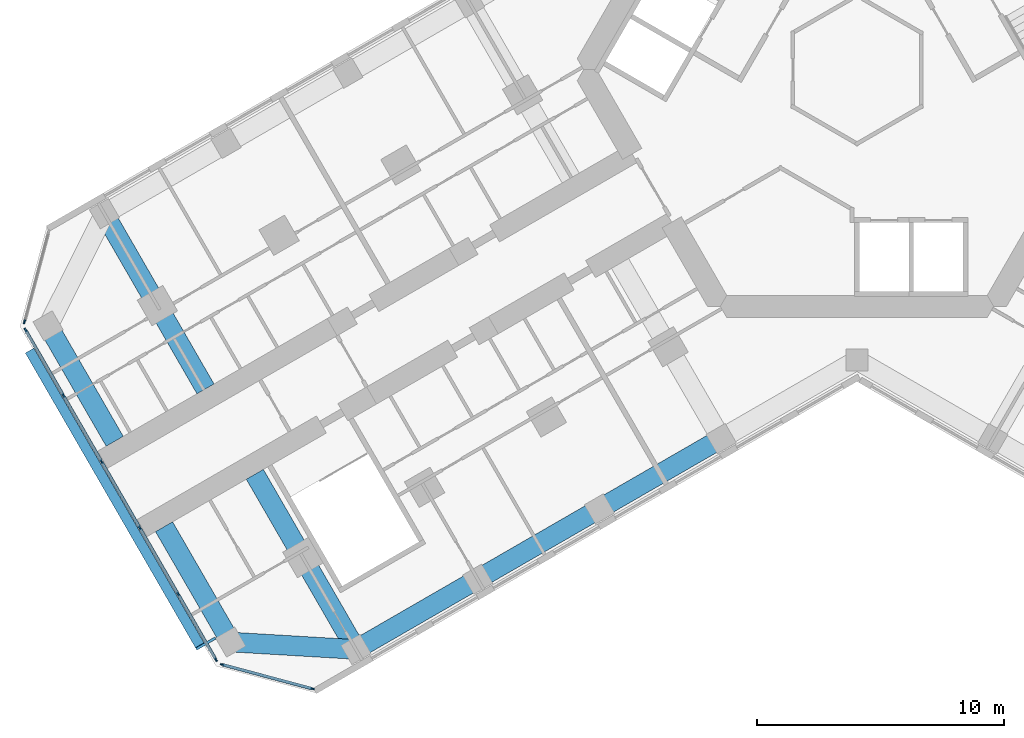
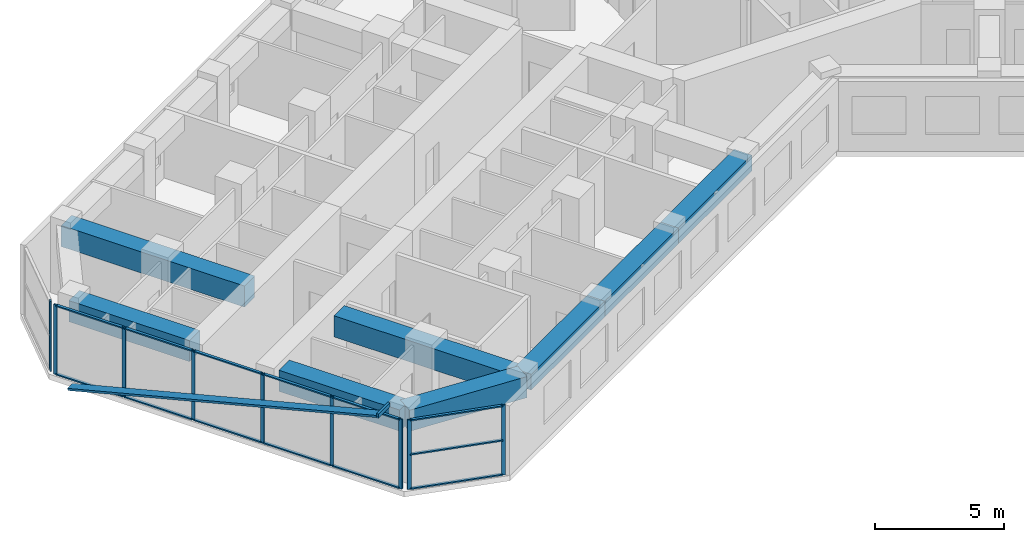
# One storey, part 2 of 20: 24 members, 8 beams, 3 elements without a shape of their own.
"""IFC4 building model written with IfcOpenShell, lengths in metres."""

from ifc_helpers import new_model, si_unit, direction, frame, origin, origin_2d, place, context, subcontext, project, spatial, rectangle, hollow_rectangle, extrude, material, material_profile, profile_set, type_object, element, aggregate, save


model = new_model("IFC4")

# Units and contexts
model_context = context("Model", 3, precision=1e-05, world=origin(), true_north=direction((0.0, 1.0)))
body_context = subcontext(model_context, "Body", "Model", "MODEL_VIEW")
ifc_project = project(units=[si_unit("LENGTHUNIT", "METRE"), si_unit("AREAUNIT", "SQUARE_METRE"), si_unit("VOLUMEUNIT", "CUBIC_METRE"), si_unit("PLANEANGLEUNIT", "RADIAN"), si_unit("MASSUNIT", "GRAM", prefix="KILO")], contexts=[model_context])

# Site, building, storey
site_placement = place(None, origin())
site = spatial("IfcSite", under=ifc_project, at=site_placement, CompositionType="ELEMENT")
building_placement = place(site_placement, origin())
building = spatial("IfcBuilding", under=site, at=building_placement, Name="Kosmar Iwan School Tower", CompositionType="ELEMENT")
storey_placement = place(building_placement, frame((0.0, 0.0, 183.199951171875)))
storey = spatial("IfcBuildingStorey", under=building, at=storey_placement, Name="L46", CompositionType="ELEMENT", Elevation=183.199951171875)

# Beams
ifc_material_1 = material(Name="Concrete C50/60", Category="concrete")
ifc_material_profile_1 = material_profile(ifc_material_1, rectangle(XDim=0.800048828125, YDim=0.75, at=origin_2d()), Name="RC 800x750 + HD 400x634")
ifc_profile_set_1 = profile_set([ifc_material_profile_1], Name="Concrete C50/60")
beam_type_1 = type_object("IfcBeamType", Name="Composite edge beam 800x750 HD 400x634", PredefinedType="BEAM", material=ifc_profile_set_1)
beam_1_placement = place(storey_placement, frame((-5.5087890625, -14.95849609375, 2.925048828125), z_axis=(-0.866033658841, -0.49998570155, 0.0), x_axis=(0.49998570155, -0.866033658841, 0.0)))
element("IfcBeam", 1, at=beam_1_placement, inside=storey, type_object=beam_type_1, Name="Edge beam BL2", PredefinedType="BEAM", context=body_context, shape_type="SweptSolid", body=[
    extrude(rectangle(XDim=0.800048828125, YDim=0.75, at=origin_2d()), origin(), (0.0, 0.0, 1.0), 5.699951171875),
])
beam_2_placement = place(storey_placement, frame((-10.445068359375, -17.808349609375, 2.925048828125), z_axis=(-0.866025820012, -0.499999279071, 0.0), x_axis=(0.499999279071, -0.866025820012, 0.0)))
element("IfcBeam", 2, at=beam_2_placement, inside=storey, type_object=beam_type_1, Name="Edge beam BL3", PredefinedType="BEAM", context=body_context, shape_type="SweptSolid", body=[
    extrude(rectangle(XDim=0.800048828125, YDim=0.75, at=origin_2d()), origin(), (0.0, 0.0, 1.0), 5.7001953125),
])
beam_3_placement = place(storey_placement, frame((-15.381591796875, -20.658447265625, 2.925048828125), z_axis=(-0.866015111908, -0.50001782563, 0.0), x_axis=(0.50001782563, -0.866015111908, 0.0)))
element("IfcBeam", 3, at=beam_3_placement, inside=storey, type_object=beam_type_1, Name="Edge beam BL4", PredefinedType="BEAM", context=body_context, shape_type="SweptSolid", body=[
    extrude(rectangle(XDim=0.800048828125, YDim=0.75, at=origin_2d()), origin(), (0.0, 0.0, 1.0), 5.699951171875),
])
ifc_material_2 = material(Name="Concrete C50/60", Category="concrete")
ifc_material_profile_2 = material_profile(ifc_material_2, rectangle(XDim=0.800048828125, YDim=1.0, at=origin_2d()), Name="RC 800x1000 + HD 400x347")
ifc_profile_set_2 = profile_set([ifc_material_profile_2], Name="Concrete C50/60")
beam_type_2 = type_object("IfcBeamType", Name="Composite tip beam 800x1000 HD 400x347", PredefinedType="BEAM", material=ifc_profile_set_2)
beam_4_placement = place(storey_placement, frame((-20.31787109375, -23.508544921875, 2.800048828125), z_axis=(-0.998260616478, 0.058955420358, 0.0), x_axis=(-0.058955420358, -0.998260616478, 0.0)))
element("IfcBeam", 4, at=beam_4_placement, inside=storey, type_object=beam_type_2, Name="Tip beam BL", PredefinedType="BEAM", context=body_context, shape_type="SweptSolid", body=[
    extrude(rectangle(XDim=0.800048828125, YDim=1.0, at=origin_2d()), origin(), (0.0, 0.0, 1.0), 5.08935546875),
])
for number, where, z_axis, x_axis, name in (
    (5, (-25.3984375, -23.20849609375, 2.800048828125), (-0.499995103361, 0.866028230842, 0.0), (-0.866028230842, -0.499995103361, 0.0), "Tip beam BL to corridor wall"),
    (6, (-32.79833984375, -10.391357421875, 2.800048828125), (0.499995103361, -0.866028230842, 0.0), (0.866028230842, 0.499995103361, 0.0), "Tip beam BR to corridor wall"),
):
    element("IfcBeam", number, at=place(storey_placement, frame(where, z_axis=z_axis, x_axis=x_axis)), inside=storey, type_object=beam_type_2, Name=name, PredefinedType="BEAM", context=body_context, shape_type="SweptSolid", body=[
        extrude(rectangle(XDim=0.800048828125, YDim=1.0, at=origin_2d()), origin(), (0.0, 0.0, 1.0), 5.39990234375),
    ])
ifc_material_3 = material(Name="Concrete C50/60", Category="concrete")
ifc_material_profile_3 = material_profile(ifc_material_3, rectangle(XDim=0.800048828125, YDim=1.0, at=origin_2d()), Name="RC 800x1000 + HD 400x634")
ifc_profile_set_3 = profile_set([ifc_material_profile_3], Name="Concrete C50/60")
beam_type_3 = type_object("IfcBeamType", Name="Composite transverse beam 800x1000 HD 400x634", PredefinedType="BEAM", material=ifc_profile_set_3)
for number, where, z_axis, x_axis, name in (
    (7, (-20.31787109375, -23.508544921875, 2.800048828125), (-0.499978459874, 0.866037839625, 0.0), (-0.866037839625, -0.499978459874, 0.0), "Transverse beam BL4"),
    (8, (-30.517822265625, -5.841552734375, 2.800048828125), (0.500013681986, -0.866017504342, 0.0), (0.866017504342, 0.500013681986, 0.0), "Transverse beam BR4"),
):
    element("IfcBeam", number, at=place(storey_placement, frame(where, z_axis=z_axis, x_axis=x_axis)), inside=storey, type_object=beam_type_3, Name=name, PredefinedType="BEAM", context=body_context, shape_type="SweptSolid", body=[
        extrude(rectangle(XDim=0.800048828125, YDim=1.0, at=origin_2d()), origin(), (0.0, 0.0, 1.0), 8.199951171875),
    ])

# Members
ifc_material_4 = material(Name="Black anodised aluminium", Category="aluminium")
ifc_material_profile_4 = material_profile(ifc_material_4, rectangle(XDim=0.10009765625, YDim=0.39990234375, at=origin_2d()), Name="FIN 100x400")
ifc_profile_set_4 = profile_set([ifc_material_profile_4], Name="Black anodised aluminium")
member_type_1 = type_object("IfcMemberType", Name="Diagonal fin 100x400", PredefinedType="USERDEFINED", material=ifc_profile_set_4)
member_1_placement = place(storey_placement, frame((-33.54345703125, -11.40087890625, -0.14990234375), z_axis=(0.484219792667, -0.838708782627, 0.249196248635), x_axis=(-0.124596397335, 0.21581127891, 0.968453008497)))
element("IfcMember", 9, at=member_1_placement, inside=storey, type_object=member_type_1, Name="Diagonal fin L46-F13", ObjectType="FIN", PredefinedType="USERDEFINED", context=body_context, shape_type="SweptSolid", body=[
    extrude(rectangle(XDim=0.10009765625, YDim=0.39990234375, at=origin_2d()), origin(), (0.0, 0.0, 1.0), 14.24609375),
])
ifc_material_5 = material(Name="Steel S355", Category="steel")
ifc_material_profile_5 = material_profile(ifc_material_5, hollow_rectangle(XDim=0.10009765625, YDim=0.199951171875, WallThickness=0.008056640625, at=origin_2d()), Name="RHS 200x100x8")
ifc_profile_set_5 = profile_set([ifc_material_profile_5], Name="Steel S355")
member_type_2 = type_object("IfcMemberType", Name="Fin bracket RHS 200x100", PredefinedType="USERDEFINED", material=ifc_profile_set_5)
member_2_placement = place(storey_placement, frame((-26.01318359375, -23.0439453125, 3.449951171875), z_axis=(-0.866013897511, -0.50001992892, 0.0), x_axis=(0.50001992892, -0.866013897511, 0.0)))
element("IfcMember", 10, at=member_2_placement, inside=storey, type_object=member_type_2, Name="Fin bracket L47", ObjectType="FIN BRACKET", PredefinedType="USERDEFINED", context=body_context, shape_type="SweptSolid", body=[
    extrude(hollow_rectangle(XDim=0.10009765625, YDim=0.199951171875, WallThickness=0.008056640625, at=origin_2d()), origin(), (0.0, 0.0, 1.0), 0.89990234375),
])

# Curtain wall, member
ifc_material_6 = material(Name="Dark glass in black aluminium frame", Category="aluminium")
curtain_wall_type_1 = type_object("IfcCurtainWallType", Name="Chamfer curtain wall dark glass", PredefinedType="USERDEFINED", material=ifc_material_6)
curtain_wall_1_placement = place(storey_placement, origin())
curtain_wall_1 = element("IfcCurtainWall", 11, at=curtain_wall_1_placement, inside=storey, type_object=curtain_wall_type_1, Name="Curtain wall L46-F12", ObjectType="FACETED CURTAIN WALL", PredefinedType="USERDEFINED")
ifc_material_7 = material(Name="Black anodised aluminium", Category="aluminium")
ifc_material_profile_6 = material_profile(ifc_material_7, rectangle(XDim=0.06005859375, YDim=0.159912109375, at=origin_2d()), Name="MULLION 60x160")
ifc_profile_set_6 = profile_set([ifc_material_profile_6], Name="Black anodised aluminium")
member_type_3 = type_object("IfcMemberType", Name="Mullion 60x160", PredefinedType="MULLION", material=ifc_profile_set_6)
member_3_placement = place(storey_placement, frame((-33.7587890625, -10.2236328125, 0.0), z_axis=(0.0, 0.0, 1.0), x_axis=(0.965925875495, -0.258818861462, 0.0)))
member_3 = element("IfcMember", 12, at=member_3_placement, type_object=member_type_3, Name="CW2 mullion 2", PredefinedType="MULLION", context=body_context, shape_type="SweptSolid", body=[
    extrude(rectangle(XDim=0.06005859375, YDim=0.159912109375, at=origin_2d()), origin(), (0.0, 0.0, 1.0), 3.300048828125),
])
aggregate(curtain_wall_1, [member_3])

# Curtain wall, members
ifc_material_8 = material(Name="Dark glass in black aluminium frame", Category="aluminium")
curtain_wall_type_2 = type_object("IfcCurtainWallType", Name="Tower curtain wall dark glass", PredefinedType="USERDEFINED", material=ifc_material_8)
curtain_wall_2_placement = place(storey_placement, origin())
curtain_wall_2 = element("IfcCurtainWall", 13, at=curtain_wall_2_placement, inside=storey, type_object=curtain_wall_type_2, Name="Curtain wall L46-F13", ObjectType="UNITISED CURTAIN WALL", PredefinedType="USERDEFINED")
member_4_placement = place(storey_placement, frame((-33.71533203125, -10.55322265625, 0.0), z_axis=(0.0, 0.0, 1.0), x_axis=(0.866025405329, 0.499999997325, 0.0)))
member_4 = element("IfcMember", 14, at=member_4_placement, type_object=member_type_3, Name="CW1 mullion 1", PredefinedType="MULLION", context=body_context, shape_type="SweptSolid", body=[
    extrude(rectangle(XDim=0.06005859375, YDim=0.159912109375, at=origin_2d()), origin(), (0.0, 0.0, 1.0), 3.300048828125),
])
member_5_placement = place(storey_placement, frame((-32.1806640625, -13.21142578125, 0.0), z_axis=(0.0, 0.0, 1.0), x_axis=(0.866025405329, 0.499999997325, 0.0)))
member_5 = element("IfcMember", 15, at=member_5_placement, type_object=member_type_3, Name="CW1 mullion 2", PredefinedType="MULLION", context=body_context, shape_type="SweptSolid", body=[
    extrude(rectangle(XDim=0.06005859375, YDim=0.159912109375, at=origin_2d()), origin(), (0.0, 0.0, 1.0), 3.300048828125),
])
member_6_placement = place(storey_placement, frame((-30.631103515625, -15.8955078125, 0.0), z_axis=(0.0, 0.0, 1.0), x_axis=(0.866025405329, 0.499999997325, 0.0)))
member_6 = element("IfcMember", 16, at=member_6_placement, type_object=member_type_3, Name="CW1 mullion 3", PredefinedType="MULLION", context=body_context, shape_type="SweptSolid", body=[
    extrude(rectangle(XDim=0.06005859375, YDim=0.159912109375, at=origin_2d()), origin(), (0.0, 0.0, 1.0), 3.300048828125),
])
member_7_placement = place(storey_placement, frame((-29.081298828125, -18.57958984375, 0.0), z_axis=(0.0, 0.0, 1.0), x_axis=(0.866025405329, 0.499999997325, 0.0)))
member_7 = element("IfcMember", 17, at=member_7_placement, type_object=member_type_3, Name="CW1 mullion 4", PredefinedType="MULLION", context=body_context, shape_type="SweptSolid", body=[
    extrude(rectangle(XDim=0.06005859375, YDim=0.159912109375, at=origin_2d()), origin(), (0.0, 0.0, 1.0), 3.300048828125),
])
member_8_placement = place(storey_placement, frame((-27.53173828125, -21.263671875, 0.0), z_axis=(0.0, 0.0, 1.0), x_axis=(0.866025405329, 0.499999997325, 0.0)))
member_8 = element("IfcMember", 18, at=member_8_placement, type_object=member_type_3, Name="CW1 mullion 5", PredefinedType="MULLION", context=body_context, shape_type="SweptSolid", body=[
    extrude(rectangle(XDim=0.06005859375, YDim=0.159912109375, at=origin_2d()), origin(), (0.0, 0.0, 1.0), 3.300048828125),
])
member_9_placement = place(storey_placement, frame((-25.9970703125, -23.921630859375, 0.0), z_axis=(0.0, 0.0, 1.0), x_axis=(0.866025405329, 0.499999997325, 0.0)))
member_9 = element("IfcMember", 19, at=member_9_placement, type_object=member_type_3, Name="CW1 mullion 6", PredefinedType="MULLION", context=body_context, shape_type="SweptSolid", body=[
    extrude(rectangle(XDim=0.06005859375, YDim=0.159912109375, at=origin_2d()), origin(), (0.0, 0.0, 1.0), 3.300048828125),
])

curtain_wall_3_placement = place(storey_placement, origin())
curtain_wall_3 = element("IfcCurtainWall", 20, at=curtain_wall_3_placement, inside=storey, type_object=curtain_wall_type_1, Name="Curtain wall L46-F14", ObjectType="FACETED CURTAIN WALL", PredefinedType="USERDEFINED")
member_10_placement = place(storey_placement, frame((-25.733154296875, -24.124267578125, 0.0), z_axis=(0.0, 0.0, 1.0), x_axis=(0.258818861462, 0.965925875495, 0.0)))
member_10 = element("IfcMember", 21, at=member_10_placement, type_object=member_type_3, Name="CW2 mullion 1", PredefinedType="MULLION", context=body_context, shape_type="SweptSolid", body=[
    extrude(rectangle(XDim=0.06005859375, YDim=0.159912109375, at=origin_2d()), origin(), (0.0, 0.0, 1.0), 3.300048828125),
])
member_11_placement = place(storey_placement, frame((-22.0830078125, -25.102294921875, 0.0), z_axis=(0.0, 0.0, 1.0), x_axis=(0.258818861462, 0.965925875495, 0.0)))
member_11 = element("IfcMember", 22, at=member_11_placement, type_object=member_type_3, Name="CW2 mullion 2", PredefinedType="MULLION", context=body_context, shape_type="SweptSolid", body=[
    extrude(rectangle(XDim=0.06005859375, YDim=0.159912109375, at=origin_2d()), origin(), (0.0, 0.0, 1.0), 3.300048828125),
])

# Member
ifc_material_9 = material(Name="Black anodised aluminium", Category="aluminium")
ifc_material_profile_7 = material_profile(ifc_material_9, rectangle(XDim=0.1201171875, YDim=0.06005859375, at=origin_2d()), Name="TRANSOM 60x120")
ifc_profile_set_7 = profile_set([ifc_material_profile_7], Name="Black anodised aluminium")
member_type_4 = type_object("IfcMemberType", Name="Transom 60x120", PredefinedType="USERDEFINED", material=ifc_profile_set_7)
member_12_placement = place(storey_placement, frame((-33.700439453125, -10.579345703125, 0.030029296875), z_axis=(0.500022102064, -0.866012642776, 0.0), x_axis=(0.866012642776, 0.500022102064, 0.0)))
member_12 = element("IfcMember", 23, at=member_12_placement, type_object=member_type_4, Name="CW1 transom 1.1", ObjectType="TRANSOM", PredefinedType="USERDEFINED", context=body_context, shape_type="SweptSolid", body=[
    extrude(rectangle(XDim=0.1201171875, YDim=0.06005859375, at=origin_2d()), origin(), (0.0, 0.0, 1.0), 3.009033203125),
])

member_13_placement = place(storey_placement, frame((-33.700439453125, -10.579345703125, 3.27001953125), z_axis=(0.500022102064, -0.866012642776, 0.0), x_axis=(0.866012642776, 0.500022102064, 0.0)))
member_13 = element("IfcMember", 24, at=member_13_placement, type_object=member_type_4, Name="CW1 transom 1.2", ObjectType="TRANSOM", PredefinedType="USERDEFINED", context=body_context, shape_type="SweptSolid", body=[
    extrude(rectangle(XDim=0.1201171875, YDim=0.06005859375, at=origin_2d()), origin(), (0.0, 0.0, 1.0), 3.009033203125),
])

member_14_placement = place(storey_placement, frame((-32.165771484375, -13.2373046875, 0.030029296875), z_axis=(0.500035348339, -0.866004994449, 0.0), x_axis=(0.866004994449, 0.500035348339, 0.0)))
member_14 = element("IfcMember", 25, at=member_14_placement, type_object=member_type_4, Name="CW1 transom 2.1", ObjectType="TRANSOM", PredefinedType="USERDEFINED", context=body_context, shape_type="SweptSolid", body=[
    extrude(rectangle(XDim=0.1201171875, YDim=0.06005859375, at=origin_2d()), origin(), (0.0, 0.0, 1.0), 3.039306640625),
])

member_15_placement = place(storey_placement, frame((-32.165771484375, -13.2373046875, 3.27001953125), z_axis=(0.500035348339, -0.866004994449, 0.0), x_axis=(0.866004994449, 0.500035348339, 0.0)))
member_15 = element("IfcMember", 26, at=member_15_placement, type_object=member_type_4, Name="CW1 transom 2.2", ObjectType="TRANSOM", PredefinedType="USERDEFINED", context=body_context, shape_type="SweptSolid", body=[
    extrude(rectangle(XDim=0.1201171875, YDim=0.06005859375, at=origin_2d()), origin(), (0.0, 0.0, 1.0), 3.039306640625),
])

member_16_placement = place(storey_placement, frame((-30.615966796875, -15.92138671875, 0.030029296875), z_axis=(0.499975102327, -0.866039777986, 0.0), x_axis=(0.866039777986, 0.499975102327, 0.0)))
member_16 = element("IfcMember", 27, at=member_16_placement, type_object=member_type_4, Name="CW1 transom 3.1", ObjectType="TRANSOM", PredefinedType="USERDEFINED", context=body_context, shape_type="SweptSolid", body=[
    extrude(rectangle(XDim=0.1201171875, YDim=0.06005859375, at=origin_2d()), origin(), (0.0, 0.0, 1.0), 3.039306640625),
])

member_17_placement = place(storey_placement, frame((-30.615966796875, -15.92138671875, 3.27001953125), z_axis=(0.499975102327, -0.866039777986, 0.0), x_axis=(0.866039777986, 0.499975102327, 0.0)))
member_17 = element("IfcMember", 28, at=member_17_placement, type_object=member_type_4, Name="CW1 transom 3.2", ObjectType="TRANSOM", PredefinedType="USERDEFINED", context=body_context, shape_type="SweptSolid", body=[
    extrude(rectangle(XDim=0.1201171875, YDim=0.06005859375, at=origin_2d()), origin(), (0.0, 0.0, 1.0), 3.039306640625),
])

member_18_placement = place(storey_placement, frame((-29.06640625, -18.60546875, 0.030029296875), z_axis=(0.499975102327, -0.866039777986, 0.0), x_axis=(0.866039777986, 0.499975102327, 0.0)))
member_18 = element("IfcMember", 29, at=member_18_placement, type_object=member_type_4, Name="CW1 transom 4.1", ObjectType="TRANSOM", PredefinedType="USERDEFINED", context=body_context, shape_type="SweptSolid", body=[
    extrude(rectangle(XDim=0.1201171875, YDim=0.06005859375, at=origin_2d()), origin(), (0.0, 0.0, 1.0), 3.039306640625),
])

member_19_placement = place(storey_placement, frame((-29.06640625, -18.60546875, 3.27001953125), z_axis=(0.499975102327, -0.866039777986, 0.0), x_axis=(0.866039777986, 0.499975102327, 0.0)))
member_19 = element("IfcMember", 30, at=member_19_placement, type_object=member_type_4, Name="CW1 transom 4.2", ObjectType="TRANSOM", PredefinedType="USERDEFINED", context=body_context, shape_type="SweptSolid", body=[
    extrude(rectangle(XDim=0.1201171875, YDim=0.06005859375, at=origin_2d()), origin(), (0.0, 0.0, 1.0), 3.039306640625),
])

member_20_placement = place(storey_placement, frame((-27.516845703125, -21.28955078125, 0.030029296875), z_axis=(0.499986971506, -0.866032925658, 0.0), x_axis=(0.866032925658, 0.499986971506, 0.0)))
member_20 = element("IfcMember", 31, at=member_20_placement, type_object=member_type_4, Name="CW1 transom 5.1", ObjectType="TRANSOM", PredefinedType="USERDEFINED", context=body_context, shape_type="SweptSolid", body=[
    extrude(rectangle(XDim=0.1201171875, YDim=0.06005859375, at=origin_2d()), origin(), (0.0, 0.0, 1.0), 3.00927734375),
])

member_21_placement = place(storey_placement, frame((-27.516845703125, -21.28955078125, 3.27001953125), z_axis=(0.499986971506, -0.866032925658, 0.0), x_axis=(0.866032925658, 0.499986971506, 0.0)))
member_21 = element("IfcMember", 32, at=member_21_placement, type_object=member_type_4, Name="CW1 transom 5.2", ObjectType="TRANSOM", PredefinedType="USERDEFINED", context=body_context, shape_type="SweptSolid", body=[
    extrude(rectangle(XDim=0.1201171875, YDim=0.06005859375, at=origin_2d()), origin(), (0.0, 0.0, 1.0), 3.00927734375),
])

aggregate(curtain_wall_2, [member_4, member_5, member_6, member_7, member_8, member_9, member_12, member_13, member_14, member_15, member_16, member_17, member_18, member_19, member_20, member_21])

member_22_placement = place(storey_placement, frame((-25.704345703125, -24.1318359375, 0.030029296875), z_axis=(0.965923731726, -0.258826861991, 0.0), x_axis=(0.258826861991, 0.965923731726, 0.0)))
member_22 = element("IfcMember", 33, at=member_22_placement, type_object=member_type_4, Name="CW2 transom 1.1", ObjectType="TRANSOM", PredefinedType="USERDEFINED", context=body_context, shape_type="SweptSolid", body=[
    extrude(rectangle(XDim=0.1201171875, YDim=0.06005859375, at=origin_2d()), origin(), (0.0, 0.0, 1.0), 3.71923828125),
])

member_23_placement = place(storey_placement, frame((-25.704345703125, -24.1318359375, 1.650146484375), z_axis=(0.965923731726, -0.258826861991, 0.0), x_axis=(0.258826861991, 0.965923731726, 0.0)))
member_23 = element("IfcMember", 34, at=member_23_placement, type_object=member_type_4, Name="CW2 transom 1.2", ObjectType="TRANSOM", PredefinedType="USERDEFINED", context=body_context, shape_type="SweptSolid", body=[
    extrude(rectangle(XDim=0.1201171875, YDim=0.06005859375, at=origin_2d()), origin(), (0.0, 0.0, 1.0), 3.71923828125),
])

member_24_placement = place(storey_placement, frame((-25.704345703125, -24.1318359375, 3.27001953125), z_axis=(0.965923731726, -0.258826861991, 0.0), x_axis=(0.258826861991, 0.965923731726, 0.0)))
member_24 = element("IfcMember", 35, at=member_24_placement, type_object=member_type_4, Name="CW2 transom 1.3", ObjectType="TRANSOM", PredefinedType="USERDEFINED", context=body_context, shape_type="SweptSolid", body=[
    extrude(rectangle(XDim=0.1201171875, YDim=0.06005859375, at=origin_2d()), origin(), (0.0, 0.0, 1.0), 3.71923828125),
])

aggregate(curtain_wall_3, [member_10, member_11, member_22, member_23, member_24])

save(model, "model.ifc")
